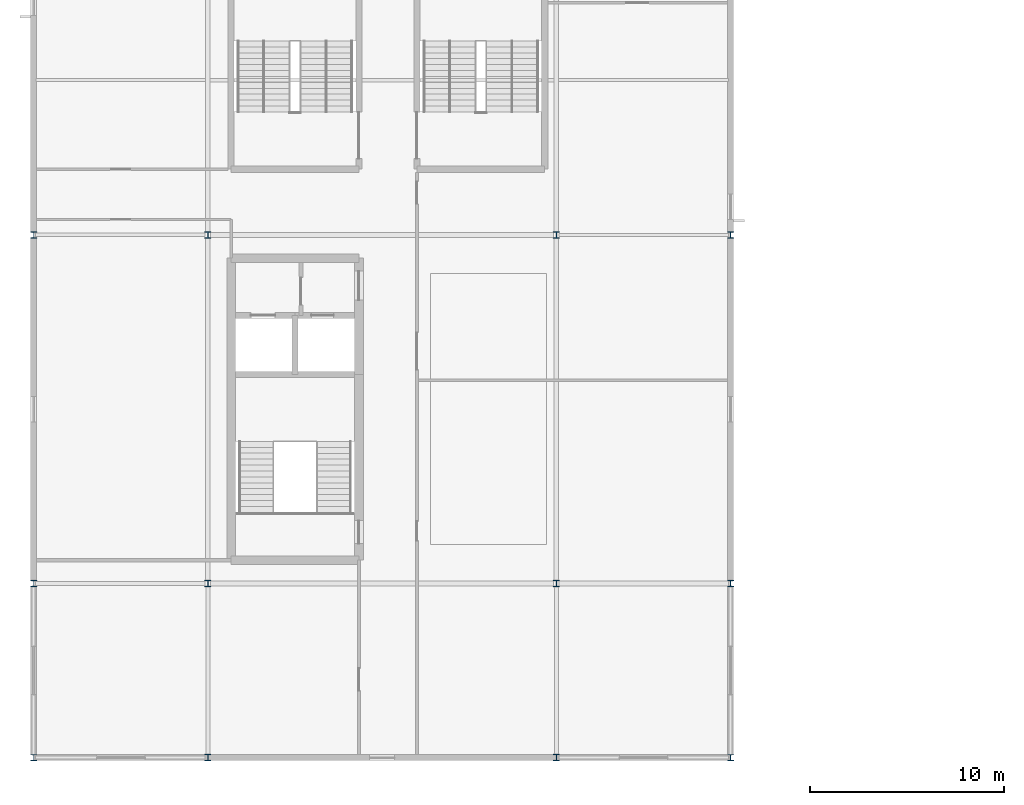
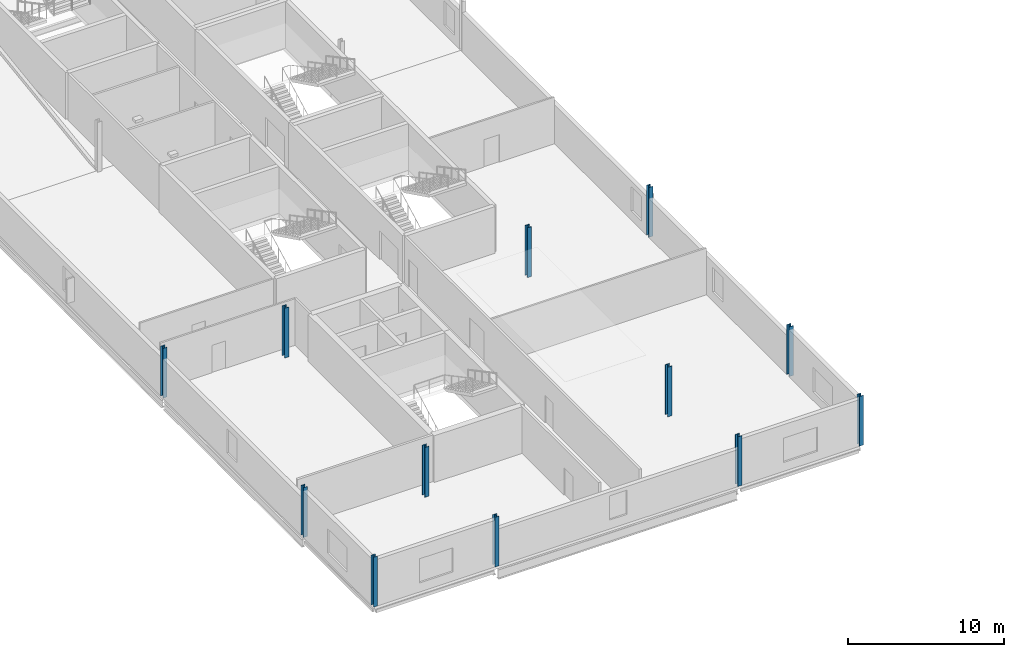
# One storey, part 1 of 27: 12 columns.
"""IFC4 building model written with IfcOpenShell, lengths in metres."""

from ifc_helpers import new_model, si_unit, direction, frame, origin, origin_2d, place, context, subcontext, project, spatial, i_section, extrude, material, material_profile, profile_set, type_object, element, save


model = new_model("IFC4")

# Units and contexts
model_context = context("Model", 3, precision=1e-05, world=origin(), true_north=direction((0.0, 1.0)))
body_context = subcontext(model_context, "Body", "Model", "MODEL_VIEW")
ifc_project = project(units=[si_unit("LENGTHUNIT", "METRE"), si_unit("AREAUNIT", "SQUARE_METRE"), si_unit("VOLUMEUNIT", "CUBIC_METRE"), si_unit("PLANEANGLEUNIT", "RADIAN"), si_unit("MASSUNIT", "GRAM", prefix="KILO")], contexts=[model_context])

# Site, building, storey
site_placement = place(None, origin())
site = spatial("IfcSite", under=ifc_project, at=site_placement, CompositionType="ELEMENT")
building_placement = place(site_placement, origin())
building = spatial("IfcBuilding", under=site, at=building_placement, Name="Kisiwana Market Hall", CompositionType="ELEMENT")
storey_placement = place(building_placement, frame((0.0, 0.0, 41.699951171875)))
storey = spatial("IfcBuildingStorey", under=building, at=storey_placement, Name="L09", CompositionType="ELEMENT", Elevation=41.699951171875)

# Columns
ifc_material_1 = material(Name="Steel S355", Category="steel")
ifc_material_profile_1 = material_profile(ifc_material_1, i_section(OverallWidth=0.30908203125, OverallDepth=0.320556640625, WebThickness=0.013916015625, FlangeThickness=0.021728515625, at=origin_2d()), Name="UC 305x305x137")
ifc_profile_set_1 = profile_set([ifc_material_profile_1], Name="Steel S355")
column_type_1 = type_object("IfcColumnType", Name="COL-STL-UC137", PredefinedType="COLUMN", material=ifc_profile_set_1)
for number, where, z_axis, x_axis, name in (
    (1, (0.0, 9.0, 0.0), (0.0, 0.0, 1.0), (1.0, 0.0, 0.0), "Column B/1 (L09) C-1210"),
    (2, (0.0, 18.0, 0.0), (0.0, 0.0, 1.0), (1.0, 0.0, 0.0), "Column C/1 (L09) C-1211"),
    (3, (0.0, 36.0, 0.0), (0.0, 0.0, 1.0), (1.0, 0.0, 0.0), "Column E/1 (L09) C-1212"),
    (4, (36.0, 9.0, 0.0), (0.0, 0.0, 1.0), (1.0, 0.0, 0.0), "Column B/5 (L09) C-1230"),
    (5, (36.0, 18.0, 0.0), (0.0, 0.0, 1.0), (1.0, 0.0, 0.0), "Column C/5 (L09) C-1231"),
    (6, (36.0, 36.0, 0.0), (0.0, 0.0, 1.0), (1.0, 0.0, 0.0), "Column E/5 (L09) C-1232"),
):
    element("IfcColumn", number, at=place(storey_placement, frame(where, z_axis=z_axis, x_axis=x_axis)), inside=storey, type_object=column_type_1, Name=name, PredefinedType="COLUMN", context=body_context, shape_type="SweptSolid", body=[
        extrude(i_section(OverallWidth=0.30908203125, OverallDepth=0.320556640625, WebThickness=0.013916015625, FlangeThickness=0.021728515625, at=origin_2d()), origin(), (0.0, 0.0, 1.0), 3.900146484375),
    ])
ifc_material_2 = material(Name="Steel S355", Category="steel")
ifc_material_profile_2 = material_profile(ifc_material_2, i_section(OverallWidth=0.314453125, OverallDepth=0.33984375, WebThickness=0.01904296875, FlangeThickness=0.031494140625, at=origin_2d()), Name="UC 305x305x198")
ifc_profile_set_2 = profile_set([ifc_material_profile_2], Name="Steel S355")
column_type_2 = type_object("IfcColumnType", Name="COL-STL-UC198", PredefinedType="COLUMN", material=ifc_profile_set_2)
for number, where, z_axis, x_axis, name in (
    (7, (9.0, 9.0, 0.0), (0.0, 0.0, 1.0), (1.0, 0.0, 0.0), "Column B/2 (L09) C-1217"),
    (8, (9.0, 18.0, 0.0), (0.0, 0.0, 1.0), (1.0, 0.0, 0.0), "Column C/2 (L09) C-1218"),
    (9, (9.0, 36.0, 0.0), (0.0, 0.0, 1.0), (1.0, 0.0, 0.0), "Column E/2 (L09) C-1219"),
    (10, (27.0, 9.0, 0.0), (0.0, 0.0, 1.0), (1.0, 0.0, 0.0), "Column B/4 (L09) C-1223"),
    (11, (27.0, 18.0, 0.0), (0.0, 0.0, 1.0), (1.0, 0.0, 0.0), "Column C/4 (L09) C-1224"),
    (12, (27.0, 36.0, 0.0), (0.0, 0.0, 1.0), (1.0, 0.0, 0.0), "Column E/4 (L09) C-1225"),
):
    element("IfcColumn", number, at=place(storey_placement, frame(where, z_axis=z_axis, x_axis=x_axis)), inside=storey, type_object=column_type_2, Name=name, PredefinedType="COLUMN", context=body_context, shape_type="SweptSolid", body=[
        extrude(i_section(OverallWidth=0.314453125, OverallDepth=0.33984375, WebThickness=0.01904296875, FlangeThickness=0.031494140625, at=origin_2d()), origin(), (0.0, 0.0, 1.0), 3.900146484375),
    ])

save(model, "model.ifc")
